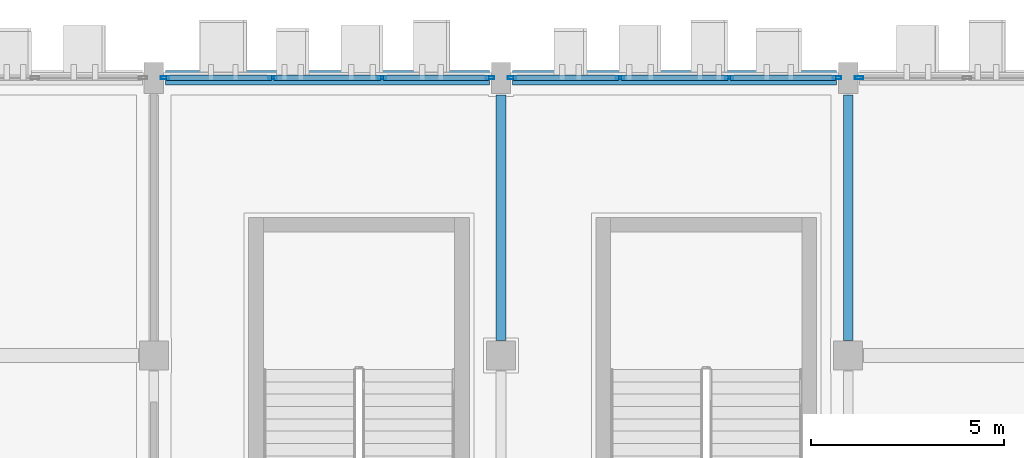
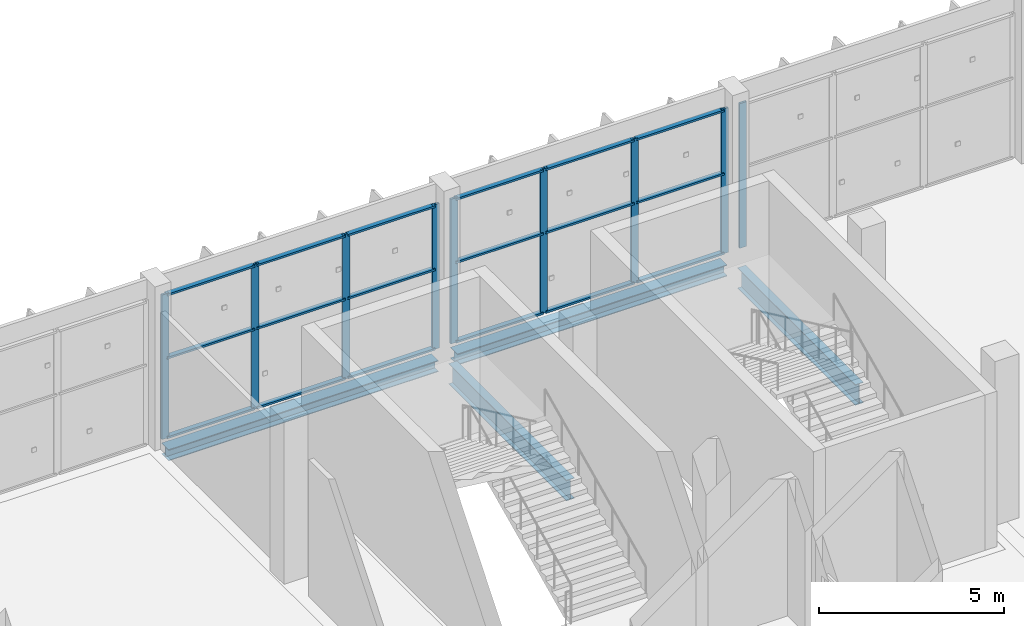
# One storey, part 98 of 189: 27 members, 4 beams, 3 elements without a shape of their own.
"""IFC4 building model written with IfcOpenShell, lengths in metres."""

from ifc_helpers import new_model, si_unit, direction, frame, origin, origin_2d, place, context, subcontext, project, spatial, hollow_rectangle, i_section, extrude, material, layer, layer_set, material_profile, profile_set, type_object, element, aggregate, save


model = new_model("IFC4")

# Units and contexts
model_context = context("Model", 3, precision=1e-05, world=origin(), true_north=direction((0.0, 1.0)))
body_context = subcontext(model_context, "Body", "Model", "MODEL_VIEW")
ifc_project = project(units=[si_unit("LENGTHUNIT", "METRE"), si_unit("AREAUNIT", "SQUARE_METRE"), si_unit("VOLUMEUNIT", "CUBIC_METRE"), si_unit("PLANEANGLEUNIT", "RADIAN"), si_unit("MASSUNIT", "GRAM", prefix="KILO")], contexts=[model_context])

# Site, building, storey
site_placement = place(None, origin())
site = spatial("IfcSite", under=ifc_project, at=site_placement, CompositionType="ELEMENT")
building_placement = place(site_placement, origin())
building = spatial("IfcBuilding", under=site, at=building_placement, Name="Celestram Park Convention Centre", CompositionType="ELEMENT")
storey_placement = place(building_placement, frame((0.0, 0.0, 5.39990234375)))
storey = spatial("IfcBuildingStorey", under=building, at=storey_placement, Name="L01", CompositionType="ELEMENT", Elevation=5.39990234375)

# Curtain wall, members
ifc_material_1 = material(Name="Anodised Aluminium Alloy 6063-T6", Category="aluminium")
ifc_layer = layer(ifc_material_1, 0.179931640625)
ifc_layer_set = layer_set([ifc_layer], Name="Anodised Aluminium Alloy 6063-T6")
curtain_wall_type = type_object("IfcCurtainWallType", Name="ARC-CW-850X476", PredefinedType="NOTDEFINED", material=ifc_layer_set)
curtain_wall_1_placement = place(storey_placement, origin())
curtain_wall_1 = element("IfcCurtainWall", 1, at=curtain_wall_1_placement, inside=storey, type_object=curtain_wall_type, Name="Unitised curtain wall CU-L01-060", PredefinedType="NOTDEFINED")
ifc_material_profile_1 = material_profile(ifc_material_1, hollow_rectangle(XDim=0.074951171875, YDim=0.219970703125, WallThickness=0.00390625, at=origin_2d()), Name="ALU75X220X4")
ifc_profile_set_1 = profile_set([ifc_material_profile_1], Name="Anodised Aluminium Alloy 6063-T6")
member_type_1 = type_object("IfcMemberType", Name="ARC-CWM-180", PredefinedType="MULLION", material=ifc_profile_set_1)
member_1_placement = place(storey_placement, frame((81.285400390625, 165.60009765625, 0.0), z_axis=(0.0, 0.0, 1.0), x_axis=(0.0, 1.0, 0.0)))
member_1 = element("IfcMember", 2, at=member_1_placement, type_object=member_type_1, Name="CW-85X47 mullion 1", PredefinedType="MULLION", context=body_context, shape_type="SweptSolid", body=[
    extrude(hollow_rectangle(XDim=0.074951171875, YDim=0.219970703125, WallThickness=0.00390625, at=origin_2d()), origin(), (0.0, 0.0, 1.0), 4.76416015625),
])
member_2_placement = place(storey_placement, frame((84.082763671875, 165.60009765625, 0.0), z_axis=(0.0, 0.0, 1.0), x_axis=(0.0, 1.0, 0.0)))
member_2 = element("IfcMember", 3, at=member_2_placement, type_object=member_type_1, Name="CW-85X47 mullion 2", PredefinedType="MULLION", context=body_context, shape_type="SweptSolid", body=[
    extrude(hollow_rectangle(XDim=0.074951171875, YDim=0.219970703125, WallThickness=0.00390625, at=origin_2d()), origin(), (0.0, 0.0, 1.0), 4.76416015625),
])
member_3_placement = place(storey_placement, frame((86.917236328125, 165.60009765625, 0.0), z_axis=(0.0, 0.0, 1.0), x_axis=(0.0, 1.0, 0.0)))
member_3 = element("IfcMember", 4, at=member_3_placement, type_object=member_type_1, Name="CW-85X47 mullion 3", PredefinedType="MULLION", context=body_context, shape_type="SweptSolid", body=[
    extrude(hollow_rectangle(XDim=0.074951171875, YDim=0.219970703125, WallThickness=0.00390625, at=origin_2d()), origin(), (0.0, 0.0, 1.0), 4.76416015625),
])
member_4_placement = place(storey_placement, frame((89.714599609375, 165.60009765625, 0.0), z_axis=(0.0, 0.0, 1.0), x_axis=(0.0, 1.0, 0.0)))
member_4 = element("IfcMember", 5, at=member_4_placement, type_object=member_type_1, Name="CW-85X47 mullion 4", PredefinedType="MULLION", context=body_context, shape_type="SweptSolid", body=[
    extrude(hollow_rectangle(XDim=0.074951171875, YDim=0.219970703125, WallThickness=0.00390625, at=origin_2d()), origin(), (0.0, 0.0, 1.0), 4.76416015625),
])

curtain_wall_2_placement = place(storey_placement, origin())
curtain_wall_2 = element("IfcCurtainWall", 6, at=curtain_wall_2_placement, inside=storey, type_object=curtain_wall_type, Name="Unitised curtain wall CU-L01-061", PredefinedType="NOTDEFINED")
member_5_placement = place(storey_placement, frame((90.285400390625, 165.60009765625, 0.0), z_axis=(0.0, 0.0, 1.0), x_axis=(0.0, 1.0, 0.0)))
member_5 = element("IfcMember", 7, at=member_5_placement, type_object=member_type_1, Name="CW-85X47 mullion 1", PredefinedType="MULLION", context=body_context, shape_type="SweptSolid", body=[
    extrude(hollow_rectangle(XDim=0.074951171875, YDim=0.219970703125, WallThickness=0.00390625, at=origin_2d()), origin(), (0.0, 0.0, 1.0), 4.76416015625),
])
member_6_placement = place(storey_placement, frame((93.082763671875, 165.60009765625, 0.0), z_axis=(0.0, 0.0, 1.0), x_axis=(0.0, 1.0, 0.0)))
member_6 = element("IfcMember", 8, at=member_6_placement, type_object=member_type_1, Name="CW-85X47 mullion 2", PredefinedType="MULLION", context=body_context, shape_type="SweptSolid", body=[
    extrude(hollow_rectangle(XDim=0.074951171875, YDim=0.219970703125, WallThickness=0.00390625, at=origin_2d()), origin(), (0.0, 0.0, 1.0), 4.76416015625),
])
member_7_placement = place(storey_placement, frame((95.917236328125, 165.60009765625, 0.0), z_axis=(0.0, 0.0, 1.0), x_axis=(0.0, 1.0, 0.0)))
member_7 = element("IfcMember", 9, at=member_7_placement, type_object=member_type_1, Name="CW-85X47 mullion 3", PredefinedType="MULLION", context=body_context, shape_type="SweptSolid", body=[
    extrude(hollow_rectangle(XDim=0.074951171875, YDim=0.219970703125, WallThickness=0.00390625, at=origin_2d()), origin(), (0.0, 0.0, 1.0), 4.76416015625),
])
member_8_placement = place(storey_placement, frame((98.714599609375, 165.60009765625, 0.0), z_axis=(0.0, 0.0, 1.0), x_axis=(0.0, 1.0, 0.0)))
member_8 = element("IfcMember", 10, at=member_8_placement, type_object=member_type_1, Name="CW-85X47 mullion 4", PredefinedType="MULLION", context=body_context, shape_type="SweptSolid", body=[
    extrude(hollow_rectangle(XDim=0.074951171875, YDim=0.219970703125, WallThickness=0.00390625, at=origin_2d()), origin(), (0.0, 0.0, 1.0), 4.76416015625),
])

# Curtain wall, member
curtain_wall_3_placement = place(storey_placement, origin())
curtain_wall_3 = element("IfcCurtainWall", 11, at=curtain_wall_3_placement, inside=storey, type_object=curtain_wall_type, Name="Unitised curtain wall CU-L01-062", PredefinedType="NOTDEFINED")
member_9_placement = place(storey_placement, frame((99.285400390625, 165.60009765625, 0.0), z_axis=(0.0, 0.0, 1.0), x_axis=(0.0, 1.0, 0.0)))
member_9 = element("IfcMember", 12, at=member_9_placement, type_object=member_type_1, Name="CW-85X47 mullion 1", PredefinedType="MULLION", context=body_context, shape_type="SweptSolid", body=[
    extrude(hollow_rectangle(XDim=0.074951171875, YDim=0.219970703125, WallThickness=0.00390625, at=origin_2d()), origin(), (0.0, 0.0, 1.0), 4.76416015625),
])
aggregate(curtain_wall_3, [member_9])

# Member
ifc_material_profile_2 = material_profile(ifc_material_1, hollow_rectangle(XDim=0.14990234375, YDim=0.06494140625, WallThickness=0.0029296875, at=origin_2d()), Name="ALU150X65X3")
ifc_profile_set_2 = profile_set([ifc_material_profile_2], Name="Anodised Aluminium Alloy 6063-T6")
member_type_2 = type_object("IfcMemberType", Name="ARC-CWT-150", PredefinedType="USERDEFINED", material=ifc_profile_set_2)
member_10_placement = place(storey_placement, frame((81.322998046875, 165.60009765625, 0.03271484375), z_axis=(1.0, 0.0, 0.0), x_axis=(0.0, 1.0, 0.0)))
member_10 = element("IfcMember", 13, at=member_10_placement, type_object=member_type_2, Name="CW-85X47 transom 1.1", ObjectType="TRANSOM", PredefinedType="USERDEFINED", context=body_context, shape_type="SweptSolid", body=[
    extrude(hollow_rectangle(XDim=0.14990234375, YDim=0.06494140625, WallThickness=0.0029296875, at=origin_2d()), origin(), (0.0, 0.0, 1.0), 2.72216796875),
])

member_11_placement = place(storey_placement, frame((81.322998046875, 165.60009765625, 2.650146484375), z_axis=(1.0, 0.0, 0.0), x_axis=(0.0, 1.0, 0.0)))
member_11 = element("IfcMember", 14, at=member_11_placement, type_object=member_type_2, Name="CW-85X47 transom 1.2", ObjectType="TRANSOM", PredefinedType="USERDEFINED", context=body_context, shape_type="SweptSolid", body=[
    extrude(hollow_rectangle(XDim=0.14990234375, YDim=0.06494140625, WallThickness=0.0029296875, at=origin_2d()), origin(), (0.0, 0.0, 1.0), 2.72216796875),
])

member_12_placement = place(storey_placement, frame((81.322998046875, 165.60009765625, 4.731689453125), z_axis=(1.0, 0.0, 0.0), x_axis=(0.0, 1.0, 0.0)))
member_12 = element("IfcMember", 15, at=member_12_placement, type_object=member_type_2, Name="CW-85X47 transom 1.3", ObjectType="TRANSOM", PredefinedType="USERDEFINED", context=body_context, shape_type="SweptSolid", body=[
    extrude(hollow_rectangle(XDim=0.14990234375, YDim=0.06494140625, WallThickness=0.0029296875, at=origin_2d()), origin(), (0.0, 0.0, 1.0), 2.72216796875),
])

member_13_placement = place(storey_placement, frame((84.1201171875, 165.60009765625, 0.03271484375), z_axis=(1.0, 0.0, 0.0), x_axis=(0.0, 1.0, 0.0)))
member_13 = element("IfcMember", 16, at=member_13_placement, type_object=member_type_2, Name="CW-85X47 transom 2.1", ObjectType="TRANSOM", PredefinedType="USERDEFINED", context=body_context, shape_type="SweptSolid", body=[
    extrude(hollow_rectangle(XDim=0.14990234375, YDim=0.06494140625, WallThickness=0.0029296875, at=origin_2d()), origin(), (0.0, 0.0, 1.0), 2.759765625),
])

member_14_placement = place(storey_placement, frame((84.1201171875, 165.60009765625, 2.650146484375), z_axis=(1.0, 0.0, 0.0), x_axis=(0.0, 1.0, 0.0)))
member_14 = element("IfcMember", 17, at=member_14_placement, type_object=member_type_2, Name="CW-85X47 transom 2.2", ObjectType="TRANSOM", PredefinedType="USERDEFINED", context=body_context, shape_type="SweptSolid", body=[
    extrude(hollow_rectangle(XDim=0.14990234375, YDim=0.06494140625, WallThickness=0.0029296875, at=origin_2d()), origin(), (0.0, 0.0, 1.0), 2.759765625),
])

member_15_placement = place(storey_placement, frame((84.1201171875, 165.60009765625, 4.731689453125), z_axis=(1.0, 0.0, 0.0), x_axis=(0.0, 1.0, 0.0)))
member_15 = element("IfcMember", 18, at=member_15_placement, type_object=member_type_2, Name="CW-85X47 transom 2.3", ObjectType="TRANSOM", PredefinedType="USERDEFINED", context=body_context, shape_type="SweptSolid", body=[
    extrude(hollow_rectangle(XDim=0.14990234375, YDim=0.06494140625, WallThickness=0.0029296875, at=origin_2d()), origin(), (0.0, 0.0, 1.0), 2.759765625),
])

member_16_placement = place(storey_placement, frame((86.954833984375, 165.60009765625, 0.03271484375), z_axis=(1.0, 0.0, 0.0), x_axis=(0.0, 1.0, 0.0)))
member_16 = element("IfcMember", 19, at=member_16_placement, type_object=member_type_2, Name="CW-85X47 transom 3.1", ObjectType="TRANSOM", PredefinedType="USERDEFINED", context=body_context, shape_type="SweptSolid", body=[
    extrude(hollow_rectangle(XDim=0.14990234375, YDim=0.06494140625, WallThickness=0.0029296875, at=origin_2d()), origin(), (0.0, 0.0, 1.0), 2.72216796875),
])

member_17_placement = place(storey_placement, frame((86.954833984375, 165.60009765625, 2.650146484375), z_axis=(1.0, 0.0, 0.0), x_axis=(0.0, 1.0, 0.0)))
member_17 = element("IfcMember", 20, at=member_17_placement, type_object=member_type_2, Name="CW-85X47 transom 3.2", ObjectType="TRANSOM", PredefinedType="USERDEFINED", context=body_context, shape_type="SweptSolid", body=[
    extrude(hollow_rectangle(XDim=0.14990234375, YDim=0.06494140625, WallThickness=0.0029296875, at=origin_2d()), origin(), (0.0, 0.0, 1.0), 2.72216796875),
])

member_18_placement = place(storey_placement, frame((86.954833984375, 165.60009765625, 4.731689453125), z_axis=(1.0, 0.0, 0.0), x_axis=(0.0, 1.0, 0.0)))
member_18 = element("IfcMember", 21, at=member_18_placement, type_object=member_type_2, Name="CW-85X47 transom 3.3", ObjectType="TRANSOM", PredefinedType="USERDEFINED", context=body_context, shape_type="SweptSolid", body=[
    extrude(hollow_rectangle(XDim=0.14990234375, YDim=0.06494140625, WallThickness=0.0029296875, at=origin_2d()), origin(), (0.0, 0.0, 1.0), 2.72216796875),
])

aggregate(curtain_wall_1, [member_1, member_2, member_3, member_4, member_10, member_11, member_12, member_13, member_14, member_15, member_16, member_17, member_18])

member_19_placement = place(storey_placement, frame((90.322998046875, 165.60009765625, 0.03271484375), z_axis=(1.0, 0.0, 0.0), x_axis=(0.0, 1.0, 0.0)))
member_19 = element("IfcMember", 22, at=member_19_placement, type_object=member_type_2, Name="CW-85X47 transom 1.1", ObjectType="TRANSOM", PredefinedType="USERDEFINED", context=body_context, shape_type="SweptSolid", body=[
    extrude(hollow_rectangle(XDim=0.14990234375, YDim=0.06494140625, WallThickness=0.0029296875, at=origin_2d()), origin(), (0.0, 0.0, 1.0), 2.72216796875),
])

member_20_placement = place(storey_placement, frame((90.322998046875, 165.60009765625, 2.650146484375), z_axis=(1.0, 0.0, 0.0), x_axis=(0.0, 1.0, 0.0)))
member_20 = element("IfcMember", 23, at=member_20_placement, type_object=member_type_2, Name="CW-85X47 transom 1.2", ObjectType="TRANSOM", PredefinedType="USERDEFINED", context=body_context, shape_type="SweptSolid", body=[
    extrude(hollow_rectangle(XDim=0.14990234375, YDim=0.06494140625, WallThickness=0.0029296875, at=origin_2d()), origin(), (0.0, 0.0, 1.0), 2.72216796875),
])

member_21_placement = place(storey_placement, frame((90.322998046875, 165.60009765625, 4.731689453125), z_axis=(1.0, 0.0, 0.0), x_axis=(0.0, 1.0, 0.0)))
member_21 = element("IfcMember", 24, at=member_21_placement, type_object=member_type_2, Name="CW-85X47 transom 1.3", ObjectType="TRANSOM", PredefinedType="USERDEFINED", context=body_context, shape_type="SweptSolid", body=[
    extrude(hollow_rectangle(XDim=0.14990234375, YDim=0.06494140625, WallThickness=0.0029296875, at=origin_2d()), origin(), (0.0, 0.0, 1.0), 2.72216796875),
])

member_22_placement = place(storey_placement, frame((93.1201171875, 165.60009765625, 0.03271484375), z_axis=(1.0, 0.0, 0.0), x_axis=(0.0, 1.0, 0.0)))
member_22 = element("IfcMember", 25, at=member_22_placement, type_object=member_type_2, Name="CW-85X47 transom 2.1", ObjectType="TRANSOM", PredefinedType="USERDEFINED", context=body_context, shape_type="SweptSolid", body=[
    extrude(hollow_rectangle(XDim=0.14990234375, YDim=0.06494140625, WallThickness=0.0029296875, at=origin_2d()), origin(), (0.0, 0.0, 1.0), 2.759765625),
])

member_23_placement = place(storey_placement, frame((93.1201171875, 165.60009765625, 2.650146484375), z_axis=(1.0, 0.0, 0.0), x_axis=(0.0, 1.0, 0.0)))
member_23 = element("IfcMember", 26, at=member_23_placement, type_object=member_type_2, Name="CW-85X47 transom 2.2", ObjectType="TRANSOM", PredefinedType="USERDEFINED", context=body_context, shape_type="SweptSolid", body=[
    extrude(hollow_rectangle(XDim=0.14990234375, YDim=0.06494140625, WallThickness=0.0029296875, at=origin_2d()), origin(), (0.0, 0.0, 1.0), 2.759765625),
])

member_24_placement = place(storey_placement, frame((93.1201171875, 165.60009765625, 4.731689453125), z_axis=(1.0, 0.0, 0.0), x_axis=(0.0, 1.0, 0.0)))
member_24 = element("IfcMember", 27, at=member_24_placement, type_object=member_type_2, Name="CW-85X47 transom 2.3", ObjectType="TRANSOM", PredefinedType="USERDEFINED", context=body_context, shape_type="SweptSolid", body=[
    extrude(hollow_rectangle(XDim=0.14990234375, YDim=0.06494140625, WallThickness=0.0029296875, at=origin_2d()), origin(), (0.0, 0.0, 1.0), 2.759765625),
])

member_25_placement = place(storey_placement, frame((95.954833984375, 165.60009765625, 0.03271484375), z_axis=(1.0, 0.0, 0.0), x_axis=(0.0, 1.0, 0.0)))
member_25 = element("IfcMember", 28, at=member_25_placement, type_object=member_type_2, Name="CW-85X47 transom 3.1", ObjectType="TRANSOM", PredefinedType="USERDEFINED", context=body_context, shape_type="SweptSolid", body=[
    extrude(hollow_rectangle(XDim=0.14990234375, YDim=0.06494140625, WallThickness=0.0029296875, at=origin_2d()), origin(), (0.0, 0.0, 1.0), 2.72216796875),
])

member_26_placement = place(storey_placement, frame((95.954833984375, 165.60009765625, 2.650146484375), z_axis=(1.0, 0.0, 0.0), x_axis=(0.0, 1.0, 0.0)))
member_26 = element("IfcMember", 29, at=member_26_placement, type_object=member_type_2, Name="CW-85X47 transom 3.2", ObjectType="TRANSOM", PredefinedType="USERDEFINED", context=body_context, shape_type="SweptSolid", body=[
    extrude(hollow_rectangle(XDim=0.14990234375, YDim=0.06494140625, WallThickness=0.0029296875, at=origin_2d()), origin(), (0.0, 0.0, 1.0), 2.72216796875),
])

member_27_placement = place(storey_placement, frame((95.954833984375, 165.60009765625, 4.731689453125), z_axis=(1.0, 0.0, 0.0), x_axis=(0.0, 1.0, 0.0)))
member_27 = element("IfcMember", 30, at=member_27_placement, type_object=member_type_2, Name="CW-85X47 transom 3.3", ObjectType="TRANSOM", PredefinedType="USERDEFINED", context=body_context, shape_type="SweptSolid", body=[
    extrude(hollow_rectangle(XDim=0.14990234375, YDim=0.06494140625, WallThickness=0.0029296875, at=origin_2d()), origin(), (0.0, 0.0, 1.0), 2.72216796875),
])

aggregate(curtain_wall_2, [member_5, member_6, member_7, member_8, member_19, member_20, member_21, member_22, member_23, member_24, member_25, member_26, member_27])

# Beams
ifc_material_2 = material(Name="Steel ASTM A992 Grade 50", Category="steel")
ifc_material_profile_3 = material_profile(ifc_material_2, i_section(OverallWidth=0.25390625, OverallDepth=0.68310546875, WebThickness=0.012451171875, FlangeThickness=0.01904296875, at=origin_2d()), Name="W27X94")
ifc_profile_set_3 = profile_set([ifc_material_profile_3], Name="Steel ASTM A992 Grade 50")
beam_type_1 = type_object("IfcBeamType", Name="STR-BM-W27X94", PredefinedType="BEAM", material=ifc_profile_set_3)
for number, where, z_axis, x_axis, name in (
    (31, (90.0, 158.798095703125, -0.621337890625), (0.0, 1.0, 0.0), (-1.0, 0.0, 0.0), "Primary Y-girder BG-L01-0183"),
    (32, (99.0, 158.798095703125, -0.621337890625), (0.0, 1.0, 0.0), (-1.0, 0.0, 0.0), "Primary Y-girder BG-L01-0206"),
):
    element("IfcBeam", number, at=place(storey_placement, frame(where, z_axis=z_axis, x_axis=x_axis)), inside=storey, type_object=beam_type_1, Name=name, PredefinedType="BEAM", context=body_context, shape_type="SweptSolid", body=[
        extrude(i_section(OverallWidth=0.25390625, OverallDepth=0.68310546875, WebThickness=0.012451171875, FlangeThickness=0.01904296875, at=origin_2d()), origin(), (0.0, 0.0, 1.0), 6.35400390625),
    ])
ifc_material_profile_4 = material_profile(ifc_material_2, i_section(OverallWidth=0.373046875, OverallDepth=0.373046875, WebThickness=0.016357421875, FlangeThickness=0.026123046875, at=origin_2d()), Name="W14X132")
ifc_profile_set_4 = profile_set([ifc_material_profile_4], Name="Steel ASTM A992 Grade 50")
beam_type_2 = type_object("IfcBeamType", Name="STR-SPN-W14X132", PredefinedType="SPANDREL", material=ifc_profile_set_4)
for number, where, z_axis, x_axis, name in (
    (33, (81.298095703125, 165.60009765625, -0.46630859375), (1.0, 0.0, 0.0), (0.0, 1.0, 0.0), "Primary X-girder BG-L01-0162"),
    (34, (90.298095703125, 165.60009765625, -0.46630859375), (1.0, 0.0, 0.0), (0.0, 1.0, 0.0), "Primary X-girder BG-L01-0184"),
):
    element("IfcBeam", number, at=place(storey_placement, frame(where, z_axis=z_axis, x_axis=x_axis)), inside=storey, type_object=beam_type_2, Name=name, PredefinedType="SPANDREL", context=body_context, shape_type="SweptSolid", body=[
        extrude(i_section(OverallWidth=0.373046875, OverallDepth=0.373046875, WebThickness=0.016357421875, FlangeThickness=0.026123046875, at=origin_2d()), origin(), (0.0, 0.0, 1.0), 8.40380859375),
    ])

save(model, "model.ifc")
